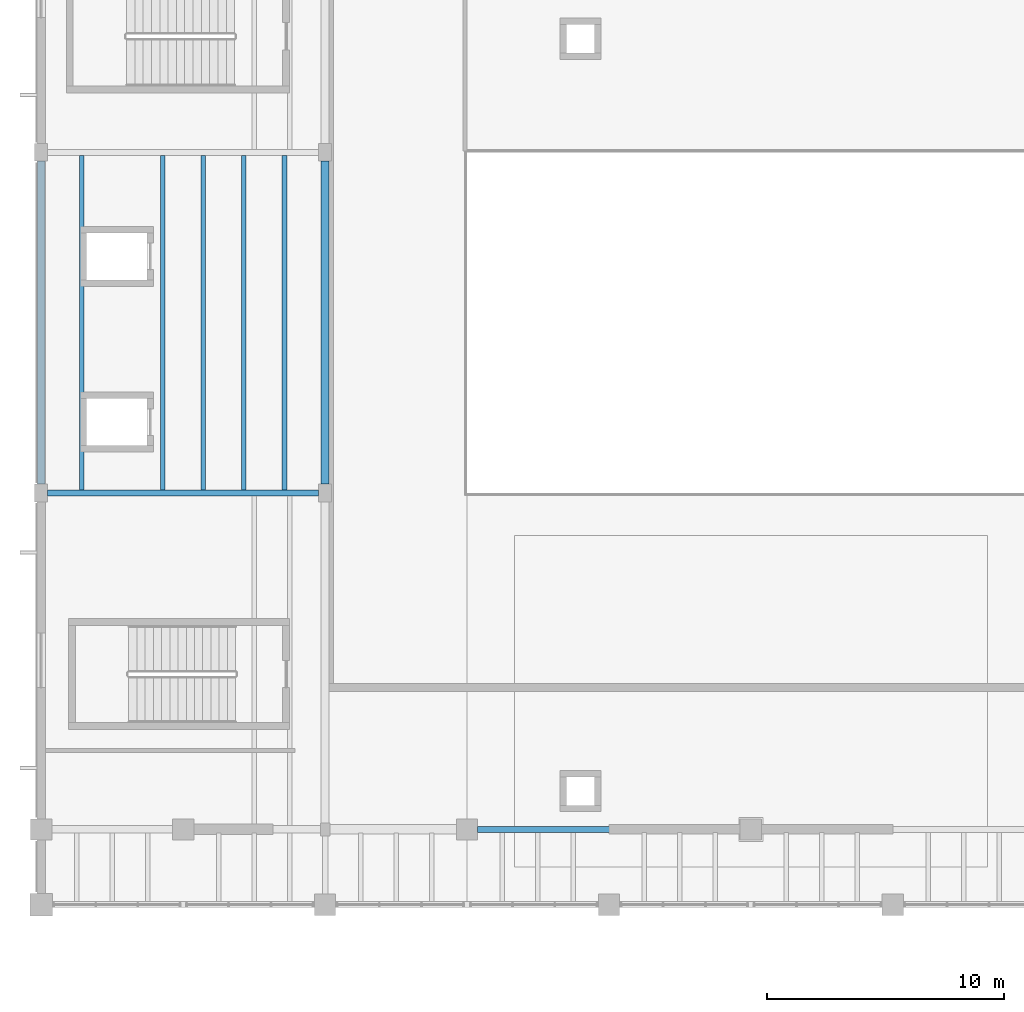
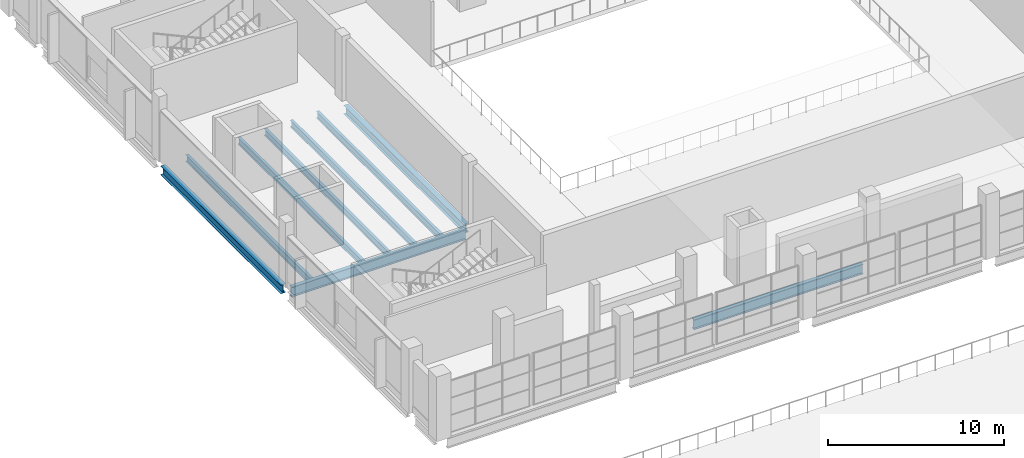
# One storey, part 40 of 78: 9 beams.
"""IFC4 building model written with IfcOpenShell, lengths in metres."""

from ifc_helpers import new_model, si_unit, direction, frame, origin, origin_2d, place, context, subcontext, project, spatial, i_section, extrude, material, material_profile, profile_set, type_object, element, save


model = new_model("IFC4")

# Units and contexts
model_context = context("Model", 3, precision=1e-05, world=origin(), true_north=direction((0.0, 1.0)))
body_context = subcontext(model_context, "Body", "Model", "MODEL_VIEW")
ifc_project = project(units=[si_unit("LENGTHUNIT", "METRE"), si_unit("AREAUNIT", "SQUARE_METRE"), si_unit("VOLUMEUNIT", "CUBIC_METRE"), si_unit("PLANEANGLEUNIT", "RADIAN"), si_unit("MASSUNIT", "GRAM", prefix="KILO")], contexts=[model_context])

# Site, building, storey
site_placement = place(None, origin())
site = spatial("IfcSite", under=ifc_project, at=site_placement, CompositionType="ELEMENT")
building_placement = place(site_placement, origin())
building = spatial("IfcBuilding", under=site, at=building_placement, Name="Kelmvaro Bay Concert Hall", CompositionType="ELEMENT")
storey_placement = place(building_placement, frame((0.0, 0.0, 9.300048828125)))
storey = spatial("IfcBuildingStorey", under=building, at=storey_placement, Name="L02", CompositionType="ELEMENT", Elevation=9.300048828125)

# Beams
ifc_material_1 = material(Name="Steel ASTM A992 Grade 50", Category="steel")
ifc_material_profile_1 = material_profile(ifc_material_1, i_section(OverallWidth=0.19189453125, OverallDepth=0.4619140625, WebThickness=0.010498046875, FlangeThickness=0.017578125, at=origin_2d()), Name="W18X60")
ifc_profile_set_1 = profile_set([ifc_material_profile_1], Name="Steel ASTM A992 Grade 50")
beam_type_1 = type_object("IfcBeamType", Name="Acoustic Box Floor Joist W18x60", PredefinedType="JOIST", material=ifc_profile_set_1)
for number, where, z_axis, x_axis, name in (
    (1, (1.71435546875, 82.927978515625, -0.531005859375), (0.0, 1.0, 0.0), (-1.0, 0.0, 0.0), "L02 Floor Joist JST-L02-1251"),
    (2, (5.142822265625, 82.927978515625, -0.531005859375), (0.0, 1.0, 0.0), (-1.0, 0.0, 0.0), "L02 Floor Joist JST-L02-1252"),
    (3, (6.857177734375, 82.927978515625, -0.531005859375), (0.0, 1.0, 0.0), (-1.0, 0.0, 0.0), "L02 Floor Joist JST-L02-1253"),
    (4, (8.5712890625, 82.927978515625, -0.531005859375), (0.0, 1.0, 0.0), (-1.0, 0.0, 0.0), "L02 Floor Joist JST-L02-1254"),
    (5, (10.28564453125, 82.927978515625, -0.531005859375), (0.0, 1.0, 0.0), (-1.0, 0.0, 0.0), "L02 Floor Joist JST-L02-1255"),
):
    element("IfcBeam", number, at=place(storey_placement, frame(where, z_axis=z_axis, x_axis=x_axis)), inside=storey, type_object=beam_type_1, Name=name, PredefinedType="JOIST", context=body_context, shape_type="SweptSolid", body=[
        extrude(i_section(OverallWidth=0.19189453125, OverallDepth=0.4619140625, WebThickness=0.010498046875, FlangeThickness=0.017578125, at=origin_2d()), origin(), (0.0, 0.0, 1.0), 14.14404296875),
    ])
ifc_material_2 = material(Name="Steel ASTM A992 Grade 50", Category="steel")
ifc_material_profile_2 = material_profile(ifc_material_2, i_section(OverallWidth=0.323974609375, OverallDepth=0.611083984375, WebThickness=0.0126953125, FlangeThickness=0.01904296875, at=origin_2d()), Name="W24X104")
ifc_profile_set_2 = profile_set([ifc_material_profile_2], Name="Steel ASTM A992 Grade 50")
beam_type_2 = type_object("IfcBeamType", Name="Foyer Frame Girder W24x104", PredefinedType="BEAM", material=ifc_profile_set_2)
for number, where, z_axis, x_axis, name in (
    (6, (0.0, 83.175048828125, -0.60546875), (0.0, 1.0, 0.0), (-1.0, 0.0, 0.0), "L02 Girder BM-L02-NS-0802"),
    (7, (12.0, 83.175048828125, -0.60546875), (0.0, 1.0, 0.0), (-1.0, 0.0, 0.0), "L02 Girder BM-L02-NS-0812"),
):
    element("IfcBeam", number, at=place(storey_placement, frame(where, z_axis=z_axis, x_axis=x_axis)), inside=storey, type_object=beam_type_2, Name=name, PredefinedType="BEAM", context=body_context, shape_type="SweptSolid", body=[
        extrude(i_section(OverallWidth=0.323974609375, OverallDepth=0.611083984375, WebThickness=0.0126953125, FlangeThickness=0.01904296875, at=origin_2d()), origin(), (0.0, 0.0, 1.0), 13.64990234375),
    ])
ifc_material_3 = material(Name="Steel ASTM A992 Grade 50", Category="steel")
ifc_material_profile_3 = material_profile(ifc_material_3, i_section(OverallWidth=0.256103515625, OverallDepth=0.693115234375, WebThickness=0.014404296875, FlangeThickness=0.023681640625, at=origin_2d()), Name="W27X114")
ifc_profile_set_3 = profile_set([ifc_material_profile_3], Name="Steel ASTM A992 Grade 50")
beam_type_3 = type_object("IfcBeamType", Name="Foyer Primary Girder W27x114", PredefinedType="BEAM", material=ifc_profile_set_3)
beam_1_placement = place(storey_placement, frame((18.449951171875, 68.580078125, -0.646484375), z_axis=(1.0, 0.0, 0.0), x_axis=(0.0, 1.0, 0.0)))
element("IfcBeam", 8, at=beam_1_placement, inside=storey, type_object=beam_type_3, Name="L02 Girder BM-L02-EW-0759", PredefinedType="BEAM", context=body_context, shape_type="SweptSolid", body=[
    extrude(i_section(OverallWidth=0.256103515625, OverallDepth=0.693115234375, WebThickness=0.014404296875, FlangeThickness=0.023681640625, at=origin_2d()), origin(), (0.0, 0.0, 1.0), 11.10009765625),
])
beam_2_placement = place(storey_placement, frame((0.27490234375, 82.800048828125, -0.646484375), z_axis=(1.0, 0.0, 0.0), x_axis=(0.0, 1.0, 0.0)))
element("IfcBeam", 9, at=beam_2_placement, inside=storey, type_object=beam_type_3, Name="L02 Girder BM-L02-EW-0769", PredefinedType="BEAM", context=body_context, shape_type="SweptSolid", body=[
    extrude(i_section(OverallWidth=0.256103515625, OverallDepth=0.693115234375, WebThickness=0.014404296875, FlangeThickness=0.023681640625, at=origin_2d()), origin(), (0.0, 0.0, 1.0), 11.4501953125),
])

save(model, "model.ifc")
